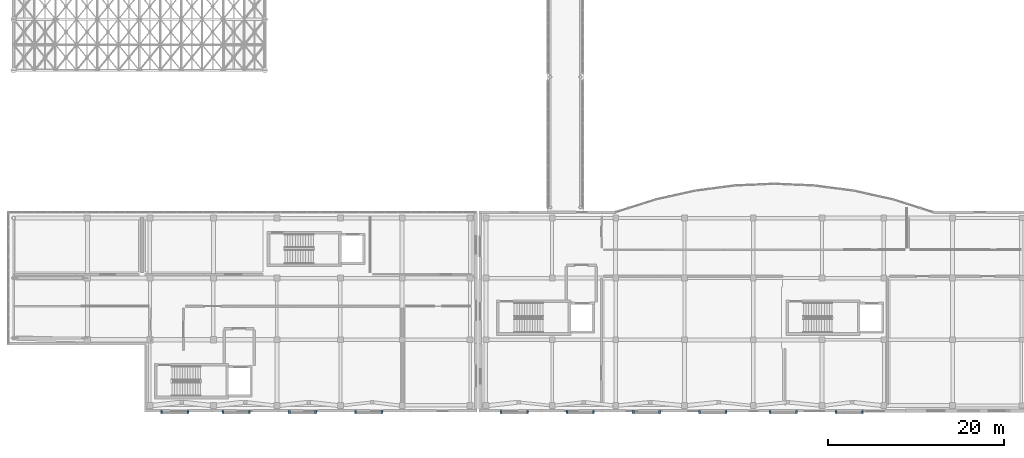
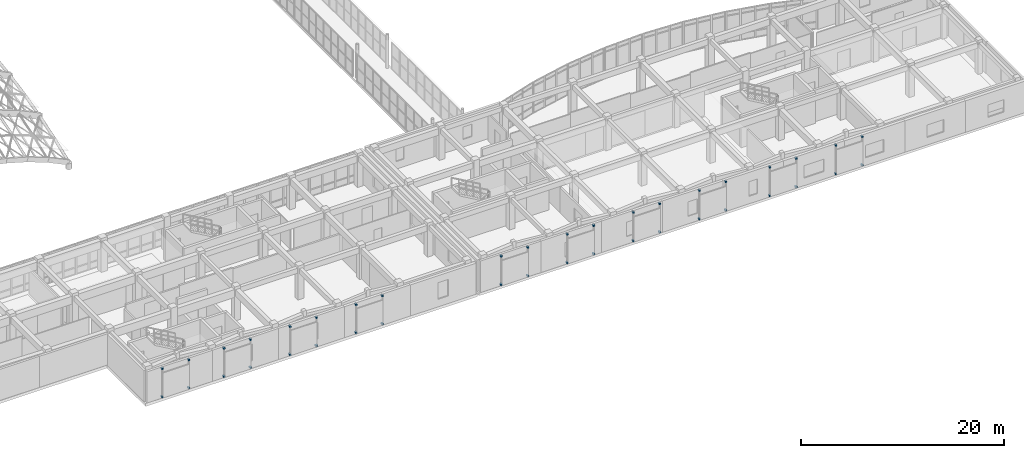
# One storey, part 140 of 146: 40 discrete accessories.
"""IFC4 building model written with IfcOpenShell, lengths in metres."""

from ifc_helpers import new_model, si_unit, direction, frame, origin, origin_2d, place, context, subcontext, project, spatial, rectangle, extrude, material, layer, layer_set, type_object, element, save


model = new_model("IFC4")

# Units and contexts
model_context = context("Model", 3, precision=1e-05, world=origin(), true_north=direction((0.0, 1.0)))
body_context = subcontext(model_context, "Body", "Model", "MODEL_VIEW")
ifc_project = project(units=[si_unit("LENGTHUNIT", "METRE"), si_unit("AREAUNIT", "SQUARE_METRE"), si_unit("VOLUMEUNIT", "CUBIC_METRE"), si_unit("PLANEANGLEUNIT", "RADIAN"), si_unit("MASSUNIT", "GRAM", prefix="KILO")], contexts=[model_context])

# Site, building, storey
site_placement = place(None, origin())
site = spatial("IfcSite", under=ifc_project, at=site_placement, CompositionType="ELEMENT")
building_placement = place(site_placement, origin())
building = spatial("IfcBuilding", under=site, at=building_placement, Name="Valcora Specialist Clinic", CompositionType="ELEMENT")
storey_placement = place(building_placement, frame((0.0, 0.0, 9.52001953125)))
storey = spatial("IfcBuildingStorey", under=building, at=storey_placement, Name="L02", CompositionType="ELEMENT", Elevation=9.52001953125)

# Discrete accessories
ifc_material = material(Name="Stainless Steel AISI 316", Category="steel")
ifc_layer = layer(ifc_material, 0.280029296875)
ifc_layer_set = layer_set([ifc_layer], Name="Stainless Steel AISI 316")
discrete_accessory_type = type_object("IfcDiscreteAccessoryType", Name="TY-DA-BRK250", PredefinedType="BRACKET", material=ifc_layer_set)
for number, where, z_axis, x_axis, name in (
    (1, (17.5, 0.030029296875, 0.08984375), (0.0, 0.0, 1.0), (1.0, 0.0, 0.0), "Stainless facade standoff bracket 81"),
    (2, (17.5, 0.030029296875, 3.46484375), (0.0, 0.0, 1.0), (1.0, 0.0, 0.0), "Stainless facade standoff bracket 82"),
    (3, (20.5, 0.030029296875, 0.08984375), (0.0, 0.0, 1.0), (1.0, 0.0, 0.0), "Stainless facade standoff bracket 83"),
    (4, (20.5, 0.030029296875, 3.46484375), (0.0, 0.0, 1.0), (1.0, 0.0, 0.0), "Stainless facade standoff bracket 84"),
    (5, (24.5, 0.030029296875, 0.08984375), (0.0, 0.0, 1.0), (1.0, 0.0, 0.0), "Stainless facade standoff bracket 85"),
    (6, (24.5, 0.030029296875, 3.46484375), (0.0, 0.0, 1.0), (1.0, 0.0, 0.0), "Stainless facade standoff bracket 86"),
    (7, (27.5, 0.030029296875, 0.08984375), (0.0, 0.0, 1.0), (1.0, 0.0, 0.0), "Stainless facade standoff bracket 87"),
    (8, (27.5, 0.030029296875, 3.46484375), (0.0, 0.0, 1.0), (1.0, 0.0, 0.0), "Stainless facade standoff bracket 88"),
    (9, (32.0, 0.030029296875, 0.08984375), (0.0, 0.0, 1.0), (1.0, 0.0, 0.0), "Stainless facade standoff bracket 89"),
    (10, (32.0, 0.030029296875, 3.46484375), (0.0, 0.0, 1.0), (1.0, 0.0, 0.0), "Stainless facade standoff bracket 90"),
    (11, (35.0, 0.030029296875, 0.08984375), (0.0, 0.0, 1.0), (1.0, 0.0, 0.0), "Stainless facade standoff bracket 91"),
    (12, (35.0, 0.030029296875, 3.46484375), (0.0, 0.0, 1.0), (1.0, 0.0, 0.0), "Stainless facade standoff bracket 92"),
    (13, (39.5, 0.030029296875, 0.08984375), (0.0, 0.0, 1.0), (1.0, 0.0, 0.0), "Stainless facade standoff bracket 93"),
    (14, (39.5, 0.030029296875, 3.46484375), (0.0, 0.0, 1.0), (1.0, 0.0, 0.0), "Stainless facade standoff bracket 94"),
    (15, (42.5, 0.030029296875, 0.08984375), (0.0, 0.0, 1.0), (1.0, 0.0, 0.0), "Stainless facade standoff bracket 95"),
    (16, (42.5, 0.030029296875, 3.46484375), (0.0, 0.0, 1.0), (1.0, 0.0, 0.0), "Stainless facade standoff bracket 96"),
    (17, (56.0, 0.030029296875, 0.08984375), (0.0, 0.0, 1.0), (1.0, 0.0, 0.0), "Stainless facade standoff bracket 97"),
    (18, (56.0, 0.030029296875, 3.51025390625), (0.0, 0.0, 1.0), (1.0, 0.0, 0.0), "Stainless facade standoff bracket 98"),
    (19, (59.0, 0.030029296875, 0.08984375), (0.0, 0.0, 1.0), (1.0, 0.0, 0.0), "Stainless facade standoff bracket 99"),
    (20, (59.0, 0.030029296875, 3.51025390625), (0.0, 0.0, 1.0), (1.0, 0.0, 0.0), "Stainless facade standoff bracket 100"),
    (21, (63.5, 0.030029296875, 0.08984375), (0.0, 0.0, 1.0), (1.0, 0.0, 0.0), "Stainless facade standoff bracket 101"),
    (22, (63.5, 0.030029296875, 3.51025390625), (0.0, 0.0, 1.0), (1.0, 0.0, 0.0), "Stainless facade standoff bracket 102"),
    (23, (66.5, 0.030029296875, 0.08984375), (0.0, 0.0, 1.0), (1.0, 0.0, 0.0), "Stainless facade standoff bracket 103"),
    (24, (66.5, 0.030029296875, 3.51025390625), (0.0, 0.0, 1.0), (1.0, 0.0, 0.0), "Stainless facade standoff bracket 104"),
    (25, (71.0, 0.030029296875, 0.08984375), (0.0, 0.0, 1.0), (1.0, 0.0, 0.0), "Stainless facade standoff bracket 105"),
    (26, (71.0, 0.030029296875, 3.51025390625), (0.0, 0.0, 1.0), (1.0, 0.0, 0.0), "Stainless facade standoff bracket 106"),
    (27, (74.0, 0.030029296875, 0.08984375), (0.0, 0.0, 1.0), (1.0, 0.0, 0.0), "Stainless facade standoff bracket 107"),
    (28, (74.0, 0.030029296875, 3.51025390625), (0.0, 0.0, 1.0), (1.0, 0.0, 0.0), "Stainless facade standoff bracket 108"),
    (29, (78.5, 0.030029296875, 0.08984375), (0.0, 0.0, 1.0), (1.0, 0.0, 0.0), "Stainless facade standoff bracket 109"),
    (30, (78.5, 0.030029296875, 3.51025390625), (0.0, 0.0, 1.0), (1.0, 0.0, 0.0), "Stainless facade standoff bracket 110"),
    (31, (81.5, 0.030029296875, 0.08984375), (0.0, 0.0, 1.0), (1.0, 0.0, 0.0), "Stainless facade standoff bracket 111"),
    (32, (81.5, 0.030029296875, 3.51025390625), (0.0, 0.0, 1.0), (1.0, 0.0, 0.0), "Stainless facade standoff bracket 112"),
    (33, (86.5, 0.030029296875, 0.08984375), (0.0, 0.0, 1.0), (1.0, 0.0, 0.0), "Stainless facade standoff bracket 113"),
    (34, (86.5, 0.030029296875, 3.51025390625), (0.0, 0.0, 1.0), (1.0, 0.0, 0.0), "Stainless facade standoff bracket 114"),
    (35, (89.5, 0.030029296875, 0.08984375), (0.0, 0.0, 1.0), (1.0, 0.0, 0.0), "Stainless facade standoff bracket 115"),
    (36, (89.5, 0.030029296875, 3.51025390625), (0.0, 0.0, 1.0), (1.0, 0.0, 0.0), "Stainless facade standoff bracket 116"),
    (37, (94.0, 0.030029296875, 0.08984375), (0.0, 0.0, 1.0), (1.0, 0.0, 0.0), "Stainless facade standoff bracket 117"),
    (38, (94.0, 0.030029296875, 3.51025390625), (0.0, 0.0, 1.0), (1.0, 0.0, 0.0), "Stainless facade standoff bracket 118"),
    (39, (97.0, 0.030029296875, 0.08984375), (0.0, 0.0, 1.0), (1.0, 0.0, 0.0), "Stainless facade standoff bracket 119"),
    (40, (97.0, 0.030029296875, 3.51025390625), (0.0, 0.0, 1.0), (1.0, 0.0, 0.0), "Stainless facade standoff bracket 120"),
):
    element("IfcDiscreteAccessory", number, at=place(storey_placement, frame(where, z_axis=z_axis, x_axis=x_axis)), inside=storey, type_object=discrete_accessory_type, Name=name, PredefinedType="BRACKET", context=body_context, shape_type="SweptSolid", body=[
        extrude(rectangle(XDim=0.179931640625, YDim=0.300048828125, at=origin_2d()), origin(), (0.0, 0.0, 1.0), 0.179931640625),
    ])

save(model, "model.ifc")
